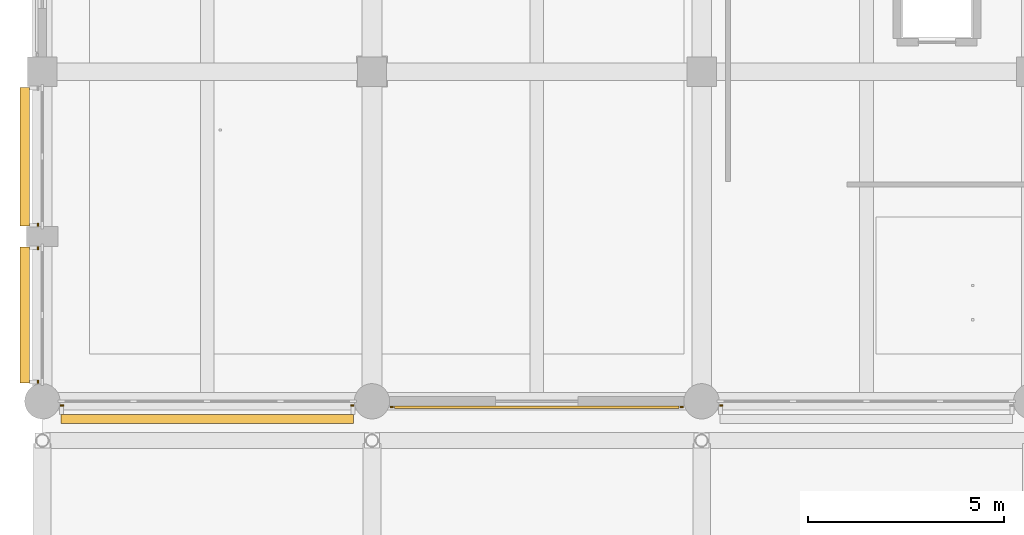
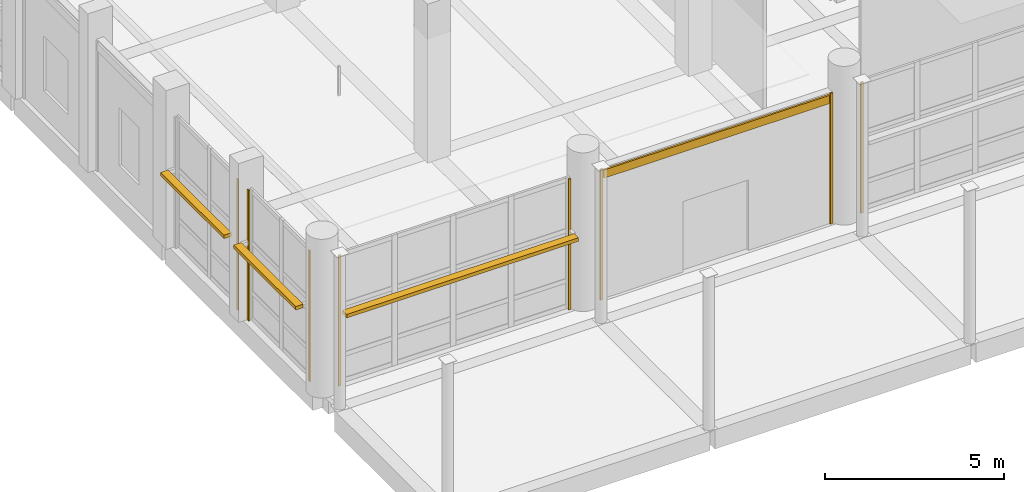
# One storey, part 92 of 140: 9 coverings, 3 shading devices.
"""IFC4 building model written with IfcOpenShell, lengths in metres."""

from ifc_helpers import new_model, si_unit, direction, frame, origin, origin_2d, place, context, subcontext, project, spatial, rectangle, extrude, material, layer, layer_set, type_object, element, save


model = new_model("IFC4")

# Units and contexts
model_context = context("Model", 3, precision=1e-05, world=origin(), true_north=direction((0.0, 1.0)))
body_context = subcontext(model_context, "Body", "Model", "MODEL_VIEW")
ifc_project = project(units=[si_unit("LENGTHUNIT", "METRE"), si_unit("AREAUNIT", "SQUARE_METRE"), si_unit("VOLUMEUNIT", "CUBIC_METRE"), si_unit("PLANEANGLEUNIT", "RADIAN"), si_unit("MASSUNIT", "GRAM", prefix="KILO")], contexts=[model_context])

# Site, building, storey
site_placement = place(None, origin())
site = spatial("IfcSite", under=ifc_project, at=site_placement, CompositionType="ELEMENT")
building_placement = place(site_placement, origin())
building = spatial("IfcBuilding", under=site, at=building_placement, Name="Telukmera Botanical Conservatory", CompositionType="ELEMENT")
storey_placement = place(building_placement, origin())
storey = spatial("IfcBuildingStorey", under=building, at=storey_placement, Name="L00", CompositionType="ELEMENT", Elevation=0.0)

# Coverings
ifc_material_1 = material(Name="Granite-faced precast concrete C40/50", Category="masonry")
ifc_layer_1 = layer(ifc_material_1, 0.0400390625)
ifc_layer_set_1 = layer_set([ifc_layer_1], Name="Granite-faced precast concrete C40/50")
covering_type_1 = type_object("IfcCoveringType", Name="Granite Precast Column Pier Reveal Casing", PredefinedType="CLADDING", material=ifc_layer_set_1)
for number, where, z_axis, x_axis, name in (
    (1, (8.902099609375, 17.489990234375, 0.0), (0.0, 0.0, 1.0), (1.0, 0.0, 0.0), "Granite Pier Reveal V3:L00:S1 L"),
    (2, (16.298095703125, 17.489990234375, 0.0), (0.0, 0.0, 1.0), (1.0, 0.0, 0.0), "Granite Pier Reveal V3:L00:S1 R"),
    (3, (17.302001953125, 17.4599609375, 0.0), (0.0, 0.0, 1.0), (1.0, 0.0, 0.0), "Granite Pier Reveal V3:L00:S2 L"),
    (4, (24.697998046875, 17.4599609375, 0.0), (0.0, 0.0, 1.0), (1.0, 0.0, 0.0), "Granite Pier Reveal V3:L00:S2 R"),
    (5, (25.701904296875, 17.489990234375, 0.0), (0.0, 0.0, 1.0), (1.0, 0.0, 0.0), "Granite Pier Reveal V3:L00:S3 L"),
    (6, (8.2900390625, 18.10205078125, 0.0), (0.0, 0.0, 1.0), (0.0, 1.0, 0.0), "Granite Pier Reveal V3:L00:W1A L"),
    (7, (8.2900390625, 21.498046875, 0.0), (0.0, 0.0, 1.0), (0.0, 1.0, 0.0), "Granite Pier Reveal V3:L00:W1A R"),
    (8, (8.2900390625, 22.10205078125, 0.0), (0.0, 0.0, 1.0), (0.0, 1.0, 0.0), "Granite Pier Reveal V3:L00:W1B L"),
):
    element("IfcCovering", number, at=place(storey_placement, frame(where, z_axis=z_axis, x_axis=x_axis)), inside=storey, type_object=covering_type_1, Name=name, PredefinedType="CLADDING", context=body_context, shape_type="SweptSolid", body=[
        extrude(rectangle(XDim=0.080078125, YDim=0.0400390625, at=origin_2d()), origin(), (0.0, 0.0, 1.0), 4.449951171875),
    ])

# Shading devices
ifc_material_2 = material(Name="Perforated terracotta-anodised aluminium 6063-T6", Category="masonry")
ifc_layer_2 = layer(ifc_material_2, 0.044921875)
ifc_layer_set_2 = layer_set([ifc_layer_2], Name="Perforated terracotta-anodised aluminium 6063-T6")
shading_device_type = type_object("IfcShadingDeviceType", Name="Perforated Terracotta Aluminium Monsoon Brise Soleil", PredefinedType="JALOUSIE", material=ifc_layer_set_2)
shading_device_1_placement = place(storey_placement, frame((12.60009765625, 17.14990234375, 2.58984375), z_axis=(0.0, 0.0, 1.0), x_axis=(1.0, 0.0, 0.0)))
element("IfcShadingDevice", 9, at=shading_device_1_placement, inside=storey, type_object=shading_device_type, Name="Monsoon Shading BS01 V3:L00:S1", PredefinedType="JALOUSIE", context=body_context, shape_type="SweptSolid", body=[
    extrude(rectangle(XDim=7.4560546875, YDim=0.239990234375, at=origin_2d()), origin(), (0.0, 0.0, 1.0), 0.1201171875),
])
shading_device_2_placement = place(storey_placement, frame((7.949951171875, 19.800048828125, 2.58984375), z_axis=(0.0, 0.0, 1.0), x_axis=(0.0, 1.0, 0.0)))
element("IfcShadingDevice", 10, at=shading_device_2_placement, inside=storey, type_object=shading_device_type, Name="Monsoon Shading BS01 V3:L00:W1A", PredefinedType="JALOUSIE", context=body_context, shape_type="SweptSolid", body=[
    extrude(rectangle(XDim=3.4560546875, YDim=0.239990234375, at=origin_2d()), origin(), (0.0, 0.0, 1.0), 0.1201171875),
])
shading_device_3_placement = place(storey_placement, frame((7.949951171875, 23.83740234375, 2.58984375), z_axis=(0.0, 0.0, 1.0), x_axis=(0.0, 1.0, 0.0)))
element("IfcShadingDevice", 11, at=shading_device_3_placement, inside=storey, type_object=shading_device_type, Name="Monsoon Shading BS01 V3:L00:W1B", PredefinedType="JALOUSIE", context=body_context, shape_type="SweptSolid", body=[
    extrude(rectangle(XDim=3.531005859375, YDim=0.239990234375, at=origin_2d()), origin(), (0.0, 0.0, 1.0), 0.1201171875),
])

# Covering
ifc_material_3 = material(Name="Terracotta-faced precast concrete C40/50", Category="masonry")
ifc_layer_3 = layer(ifc_material_3, 0.06005859375)
ifc_layer_set_3 = layer_set([ifc_layer_3], Name="Terracotta-faced precast concrete C40/50")
covering_type_2 = type_object("IfcCoveringType", Name="Polychrome Terracotta Facade Band Cladding", PredefinedType="CLADDING", material=ifc_layer_set_3)
covering_placement = place(storey_placement, frame((21.0, 17.449951171875, 4.1298828125), z_axis=(0.0, 0.0, 1.0), x_axis=(1.0, 0.0, 0.0)))
element("IfcCovering", 12, at=covering_placement, inside=storey, type_object=covering_type_2, Name="Polychrome Terracotta Band V3:L00:S2", PredefinedType="CLADDING", context=body_context, shape_type="SweptSolid", body=[
    extrude(rectangle(XDim=7.256103515625, YDim=0.06005859375, at=origin_2d()), origin(), (0.0, 0.0, 1.0), 0.280029296875),
])

save(model, "model.ifc")
